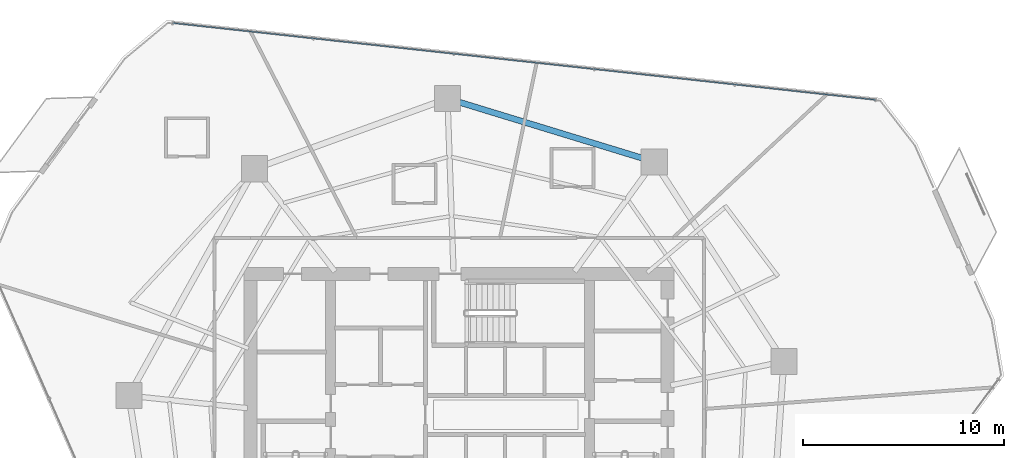
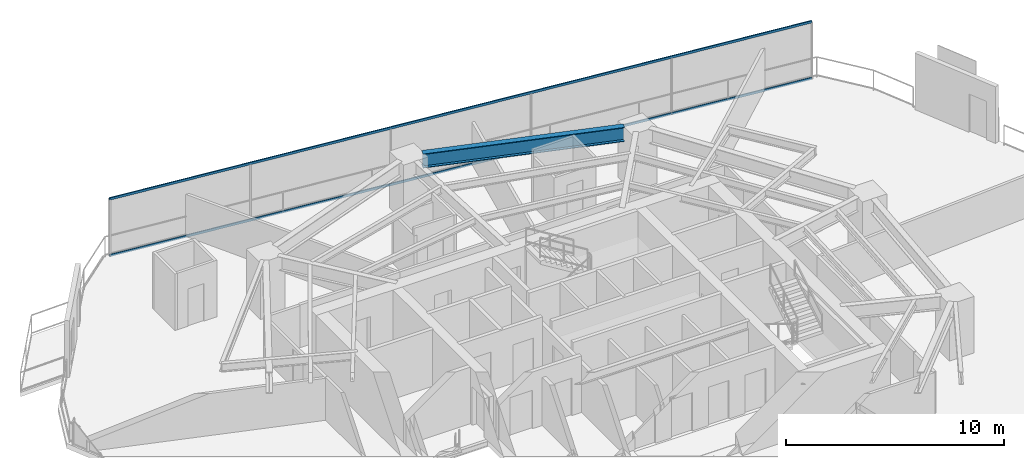
# One storey, part 19 of 28: 2 members, 1 beam, 1 element without a shape of its own.
"""IFC4 building model written with IfcOpenShell, lengths in metres."""

from ifc_helpers import new_model, si_unit, direction, frame, origin, origin_2d, place, context, subcontext, project, spatial, hollow_rectangle, i_section, extrude, material, layer, layer_set, material_profile, profile_set, type_object, element, aggregate, save


model = new_model("IFC4")

# Units and contexts
model_context = context("Model", 3, precision=1e-05, world=origin(), true_north=direction((0.0, 1.0)))
body_context = subcontext(model_context, "Body", "Model", "MODEL_VIEW")
ifc_project = project(units=[si_unit("LENGTHUNIT", "METRE"), si_unit("AREAUNIT", "SQUARE_METRE"), si_unit("VOLUMEUNIT", "CUBIC_METRE"), si_unit("PLANEANGLEUNIT", "RADIAN"), si_unit("MASSUNIT", "GRAM", prefix="KILO")], contexts=[model_context])

# Site, building, storey
site_placement = place(None, origin())
site = spatial("IfcSite", under=ifc_project, at=site_placement, CompositionType="ELEMENT")
building_placement = place(site_placement, origin())
building = spatial("IfcBuilding", under=site, at=building_placement, Name="Qarnah Convention Tower", CompositionType="ELEMENT")
storey_placement = place(building_placement, frame((0.0, 0.0, 44.25)))
storey = spatial("IfcBuildingStorey", under=building, at=storey_placement, Name="L10", CompositionType="ELEMENT", Elevation=44.25)

# Beam
ifc_material_1 = material(Name="Structural steel S355JR", Category="steel")
ifc_material_profile_1 = material_profile(ifc_material_1, i_section(OverallWidth=0.300048828125, OverallDepth=0.800048828125, WebThickness=0.01806640625, FlangeThickness=0.032958984375, at=origin_2d()), Name="HEB800")
ifc_profile_set_1 = profile_set([ifc_material_profile_1], Name="Structural steel S355JR")
beam_type = type_object("IfcBeamType", Name="BM-RING-HEB800", PredefinedType="BEAM", material=ifc_profile_set_1)
beam_placement = place(storey_placement, frame((46.31591796875, 39.97607421875, 2.77001953125), z_axis=(-0.956298871663, 0.292390950707, 0.0), x_axis=(-0.292390950707, -0.956298871663, 0.0)))
element("IfcBeam", 1, at=beam_placement, inside=storey, type_object=beam_type, Name="L10 beam BM-L10-SPN-02", PredefinedType="BEAM", context=body_context, shape_type="SweptSolid", body=[
    extrude(i_section(OverallWidth=0.300048828125, OverallDepth=0.800048828125, WebThickness=0.01806640625, FlangeThickness=0.032958984375, at=origin_2d()), origin(), (0.0, 0.0, 1.0), 9.4970703125),
])

# Curtain wall, members
ifc_material_2 = material(Name="Tempered Low-E dark glass", Category="glass")
ifc_layer = layer(ifc_material_2, 0.16796875)
ifc_layer_set = layer_set([ifc_layer], Name="Tempered Low-E dark glass")
curtain_wall_type = type_object("IfcCurtainWallType", Name="CWS-01", PredefinedType="NOTDEFINED", material=ifc_layer_set)
curtain_wall_placement = place(storey_placement, origin())
curtain_wall = element("IfcCurtainWall", 2, at=curtain_wall_placement, inside=storey, type_object=curtain_wall_type, Name="L10 unitised curtain wall CW-L10-F2", PredefinedType="NOTDEFINED")
ifc_material_3 = material(Name="Black anodised aluminium", Category="aluminium")
ifc_material_profile_2 = material_profile(ifc_material_3, hollow_rectangle(XDim=0.06005859375, YDim=0.1298828125, WallThickness=0.00390625, at=origin_2d()), Name="TRN-60X130")
ifc_profile_set_2 = profile_set([ifc_material_profile_2], Name="Black anodised aluminium")
member_type = type_object("IfcMemberType", Name="TRN-T1", PredefinedType="USERDEFINED", material=ifc_profile_set_2)
member_1_placement = place(storey_placement, frame((22.927978515625, 46.7060546875, 0.0), z_axis=(0.994075447023, -0.108692251918, 0.0), x_axis=(0.108692251918, 0.994075447023, 0.0)))
member_1 = element("IfcMember", 3, at=member_1_placement, type_object=member_type, Name="CW-L10-F2 transom 1", ObjectType="TRANSOM", PredefinedType="USERDEFINED", context=body_context, shape_type="SweptSolid", body=[
    extrude(hollow_rectangle(XDim=0.06005859375, YDim=0.1298828125, WallThickness=0.00390625, at=origin_2d()), origin(), (0.0, 0.0, 1.0), 35.23779296875),
])
member_2_placement = place(storey_placement, frame((22.927978515625, 46.7060546875, 3.169921875), z_axis=(0.994075447023, -0.108692251918, 0.0), x_axis=(0.108692251918, 0.994075447023, 0.0)))
member_2 = element("IfcMember", 4, at=member_2_placement, type_object=member_type, Name="CW-L10-F2 transom 2", ObjectType="TRANSOM", PredefinedType="USERDEFINED", context=body_context, shape_type="SweptSolid", body=[
    extrude(hollow_rectangle(XDim=0.06005859375, YDim=0.1298828125, WallThickness=0.00390625, at=origin_2d()), origin(), (0.0, 0.0, 1.0), 35.23779296875),
])
aggregate(curtain_wall, [member_1, member_2])

save(model, "model.ifc")
